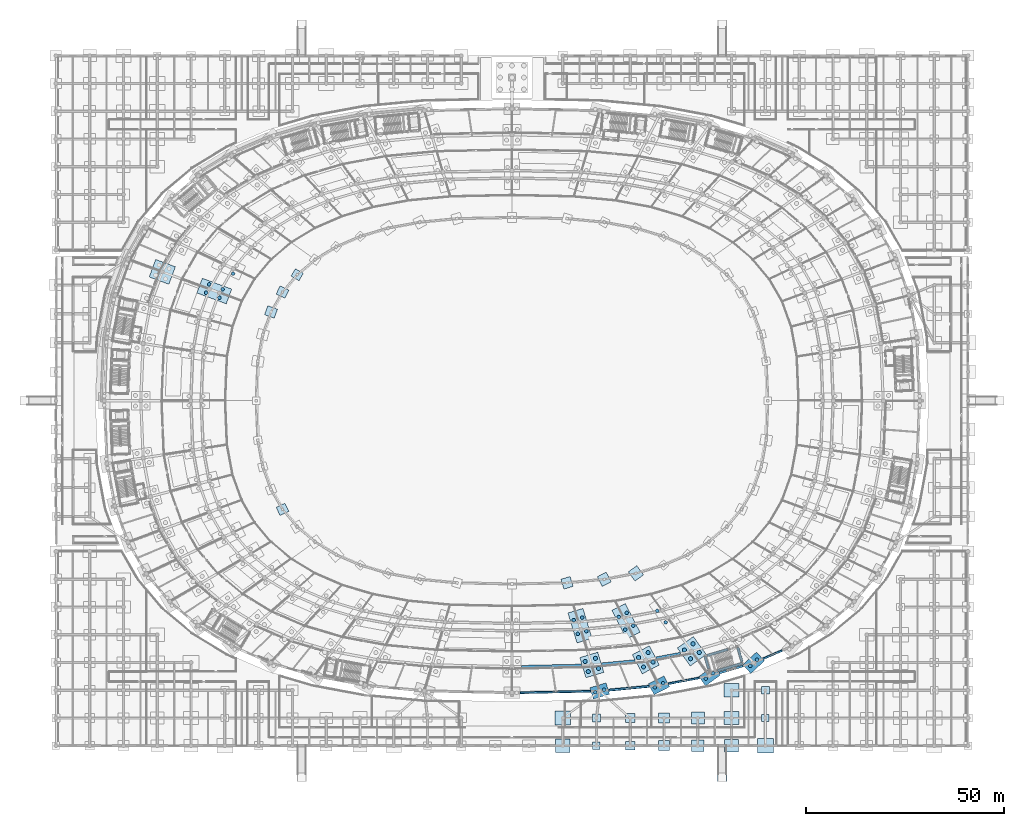
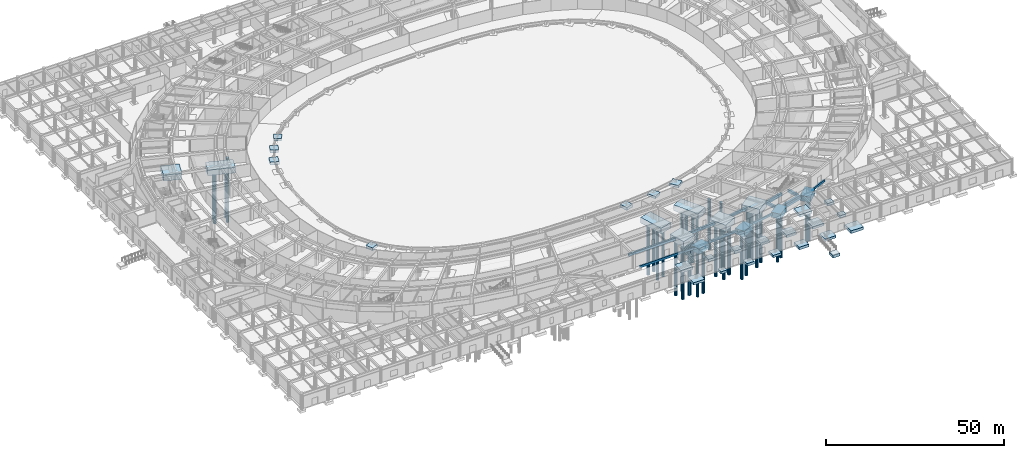
# One storey, part 5 of 88: 47 footings, 35 piles.
"""IFC4 building model written with IfcOpenShell, lengths in metres."""

from ifc_helpers import new_model, si_unit, direction, frame, origin, origin_2d, place, context, subcontext, project, spatial, rectangle, circle, extrude, material, material_profile, profile_set, type_object, element, save


model = new_model("IFC4")

# Units and contexts
model_context = context("Model", 3, precision=1e-05, world=origin(), true_north=direction((0.0, 1.0)))
body_context = subcontext(model_context, "Body", "Model", "MODEL_VIEW")
ifc_project = project(units=[si_unit("LENGTHUNIT", "METRE"), si_unit("AREAUNIT", "SQUARE_METRE"), si_unit("VOLUMEUNIT", "CUBIC_METRE"), si_unit("PLANEANGLEUNIT", "RADIAN"), si_unit("MASSUNIT", "GRAM", prefix="KILO")], contexts=[model_context])

# Site, building, storey
site_placement = place(None, origin())
site = spatial("IfcSite", under=ifc_project, at=site_placement, CompositionType="ELEMENT")
building_placement = place(site_placement, origin())
building = spatial("IfcBuilding", under=site, at=building_placement, Name="Mphavela Belvedere Stadium", CompositionType="ELEMENT")
storey_placement = place(building_placement, origin())
storey = spatial("IfcBuildingStorey", under=building, at=storey_placement, Name="L00", CompositionType="ELEMENT", Elevation=0.0)

# Footings
ifc_material_1 = material(Name="Concrete C35/45", Category="concrete")
footing_type_1 = type_object("IfcFootingType", Name="FTG-CORE-CF06", PredefinedType="PAD_FOOTING", material=ifc_material_1)
footing_1_placement = place(storey_placement, frame((164.13037109375, 21.00830078125, -0.89990234375), z_axis=(0.0, 0.0, 1.0), x_axis=(0.284517342588, -0.958670893355, 0.0)))
element("IfcFooting", 1, at=footing_1_placement, inside=storey, type_object=footing_type_1, Name="Core P04 shear wall foundation pad right", PredefinedType="PAD_FOOTING", context=body_context, shape_type="SweptSolid", body=[
    extrude(rectangle(XDim=3.25, YDim=0.64990234375, at=origin_2d()), origin(), (0.0, 0.0, 1.0), 0.89990234375),
])
ifc_material_2 = material(Name="Concrete C35/45", Category="concrete")
footing_type_2 = type_object("IfcFootingType", Name="FTG-CORE-CF08", PredefinedType="PAD_FOOTING", material=ifc_material_2)
footing_2_placement = place(storey_placement, frame((172.45947265625, 22.959716796875, -0.89990234375), z_axis=(0.0, 0.0, 1.0), x_axis=(0.284517342588, -0.958670893355, 0.0)))
element("IfcFooting", 2, at=footing_2_placement, inside=storey, type_object=footing_type_2, Name="Core P04 shear wall foundation pad left", PredefinedType="PAD_FOOTING", context=body_context, shape_type="SweptSolid", body=[
    extrude(rectangle(XDim=3.75, YDim=0.64990234375, at=origin_2d()), origin(), (0.0, 0.0, 1.0), 0.89990234375),
])
ifc_material_3 = material(Name="Concrete C35/45", Category="concrete")
footing_type_3 = type_object("IfcFootingType", Name="FTG-CORE-CF12", PredefinedType="PAD_FOOTING", material=ifc_material_3)
footing_3_placement = place(storey_placement, frame((166.7763671875, 23.5068359375, -0.89990234375), z_axis=(0.0, 0.0, 1.0), x_axis=(-0.958670893355, -0.284517342588, 0.0)))
element("IfcFooting", 3, at=footing_3_placement, inside=storey, type_object=footing_type_3, Name="Core P04 shear wall foundation pad front", PredefinedType="PAD_FOOTING", context=body_context, shape_type="SweptSolid", body=[
    extrude(rectangle(XDim=5.5, YDim=0.64990234375, at=origin_2d()), origin(), (0.0, 0.0, 1.0), 0.89990234375),
])
ifc_material_4 = material(Name="Concrete C35/45", Category="concrete")
footing_type_4 = type_object("IfcFootingType", Name="FTG-CORE-CF16", PredefinedType="PAD_FOOTING", material=ifc_material_4)
footing_4_placement = place(storey_placement, frame((169.969482421875, 19.8544921875, -0.89990234375), z_axis=(0.0, 0.0, 1.0), x_axis=(-0.958670893355, -0.284517342588, 0.0)))
element("IfcFooting", 4, at=footing_4_placement, inside=storey, type_object=footing_type_4, Name="Core P04 shear wall foundation pad rear", PredefinedType="PAD_FOOTING", context=body_context, shape_type="SweptSolid", body=[
    extrude(rectangle(XDim=6.5, YDim=0.64990234375, at=origin_2d()), origin(), (0.0, 0.0, 1.0), 0.89990234375),
])
ifc_material_5 = material(Name="Concrete C35/45", Category="concrete")
ifc_material_profile_1 = material_profile(ifc_material_5, rectangle(XDim=0.449951171875, YDim=0.75, at=origin_2d()), Name="GB 450x750")
ifc_profile_set_1 = profile_set([ifc_material_profile_1], Name="Concrete C35/45")
footing_type_5 = type_object("IfcFootingType", Name="FTG-GB-01", PredefinedType="FOOTING_BEAM", material=ifc_profile_set_1)
footing_5_placement = place(storey_placement, frame((117.0888671875, 13.375, -0.5), z_axis=(0.999768275781, 0.021526605434, 0.0), x_axis=(-0.021526605434, 0.999768275781, 0.0)))
element("IfcFooting", 5, at=footing_5_placement, inside=storey, type_object=footing_type_5, Name="Ground tie-beam R4-37", PredefinedType="FOOTING_BEAM", context=body_context, shape_type="SweptSolid", body=[
    extrude(rectangle(XDim=0.449951171875, YDim=0.75, at=origin_2d()), origin(), (0.0, 0.0, 1.0), 17.7265625),
])
footing_6_placement = place(storey_placement, frame((154.43310546875, 15.672119140625, -0.5), z_axis=(0.983095616652, 0.183092895876, 0.0), x_axis=(-0.183092895876, 0.983095616652, 0.0)))
element("IfcFooting", 6, at=footing_6_placement, inside=storey, type_object=footing_type_5, Name="Ground tie-beam R4-39", PredefinedType="FOOTING_BEAM", context=body_context, shape_type="SweptSolid", body=[
    extrude(rectangle(XDim=0.449951171875, YDim=0.75, at=origin_2d()), origin(), (0.0, 0.0, 1.0), 7.89111328125),
])
footing_7_placement = place(storey_placement, frame((178.326171875, 21.944091796875, -0.5), z_axis=(0.91748716099, 0.397765394949, 0.0), x_axis=(-0.397765394949, 0.91748716099, 0.0)))
element("IfcFooting", 7, at=footing_7_placement, inside=storey, type_object=footing_type_5, Name="Ground tie-beam R4-41", PredefinedType="FOOTING_BEAM", context=body_context, shape_type="SweptSolid", body=[
    extrude(rectangle(XDim=0.449951171875, YDim=0.75, at=origin_2d()), origin(), (0.0, 0.0, 1.0), 5.204833984375),
])
ifc_material_6 = material(Name="Concrete C35/45", Category="concrete")
ifc_material_profile_2 = material_profile(ifc_material_6, rectangle(XDim=0.5, YDim=0.800048828125, at=origin_2d()), Name="GB 500x800")
ifc_profile_set_2 = profile_set([ifc_material_profile_2], Name="Concrete C35/45")
footing_type_6 = type_object("IfcFootingType", Name="FTG-GB-02", PredefinedType="FOOTING_BEAM", material=ifc_profile_set_2)
footing_8_placement = place(storey_placement, frame((139.356689453125, 14.02001953125, -0.5), z_axis=(0.9954839225, 0.094930290445, 0.0), x_axis=(-0.094930290445, 0.9954839225, 0.0)))
element("IfcFooting", 8, at=footing_8_placement, inside=storey, type_object=footing_type_6, Name="Ground tie-beam R4-38", PredefinedType="FOOTING_BEAM", context=body_context, shape_type="SweptSolid", body=[
    extrude(rectangle(XDim=0.5, YDim=0.800048828125, at=origin_2d()), origin(), (0.0, 0.0, 1.0), 10.2666015625),
])
footing_9_placement = place(storey_placement, frame((167.22705078125, 18.3232421875, -0.5), z_axis=(0.958663693335, 0.284541601671, 0.0), x_axis=(-0.284541601671, 0.958663693335, 0.0)))
element("IfcFooting", 9, at=footing_9_placement, inside=storey, type_object=footing_type_6, Name="Ground tie-beam R4-40", PredefinedType="FOOTING_BEAM", context=body_context, shape_type="SweptSolid", body=[
    extrude(rectangle(XDim=0.5, YDim=0.800048828125, at=origin_2d()), origin(), (0.0, 0.0, 1.0), 6.30810546875),
])
ifc_material_7 = material(Name="Concrete C35/45", Category="concrete")
ifc_material_profile_3 = material_profile(ifc_material_7, rectangle(XDim=0.550048828125, YDim=0.85009765625, at=origin_2d()), Name="GB 550x850")
ifc_profile_set_3 = profile_set([ifc_material_profile_3], Name="Concrete C35/45")
footing_type_7 = type_object("IfcFootingType", Name="FTG-GB-03", PredefinedType="FOOTING_BEAM", material=ifc_profile_set_3)
footing_10_placement = place(storey_placement, frame((117.33984375, 19.98291015625, -0.550048828125), z_axis=(0.999768391187, 0.021521244921, 0.0), x_axis=(-0.021521244921, 0.999768391187, 0.0)))
element("IfcFooting", 10, at=footing_10_placement, inside=storey, type_object=footing_type_7, Name="Ground tie-beam R3-37", PredefinedType="FOOTING_BEAM", context=body_context, shape_type="SweptSolid", body=[
    extrude(rectangle(XDim=0.550048828125, YDim=0.85009765625, at=origin_2d()), origin(), (0.0, 0.0, 1.0), 15.235107421875),
])
footing_11_placement = place(storey_placement, frame((151.351318359375, 22.14892578125, -0.550048828125), z_axis=(0.983093519993, 0.18310415328, 0.0), x_axis=(-0.18310415328, 0.983093519993, 0.0)))
element("IfcFooting", 11, at=footing_11_placement, inside=storey, type_object=footing_type_7, Name="Ground tie-beam R3-39", PredefinedType="FOOTING_BEAM", context=body_context, shape_type="SweptSolid", body=[
    extrude(rectangle(XDim=0.550048828125, YDim=0.85009765625, at=origin_2d()), origin(), (0.0, 0.0, 1.0), 6.236083984375),
])
ifc_material_8 = material(Name="Concrete C35/45", Category="concrete")
ifc_material_profile_4 = material_profile(ifc_material_8, rectangle(XDim=0.60009765625, YDim=0.89990234375, at=origin_2d()), Name="GB 600x900")
ifc_profile_set_4 = profile_set([ifc_material_profile_4], Name="Concrete C35/45")
footing_type_8 = type_object("IfcFootingType", Name="FTG-GB-04", PredefinedType="FOOTING_BEAM", material=ifc_profile_set_4)
footing_12_placement = place(storey_placement, frame((137.62353515625, 20.603515625, -0.550048828125), z_axis=(0.99548437937, 0.094925499371, 0.0), x_axis=(-0.094925499371, 0.99548437937, 0.0)))
element("IfcFooting", 12, at=footing_12_placement, inside=storey, type_object=footing_type_8, Name="Ground tie-beam R3-38", PredefinedType="FOOTING_BEAM", context=body_context, shape_type="SweptSolid", body=[
    extrude(rectangle(XDim=0.60009765625, YDim=0.89990234375, at=origin_2d()), origin(), (0.0, 0.0, 1.0), 8.412841796875),
])
ifc_material_9 = material(Name="Concrete C35/45", Category="concrete")
footing_type_9 = type_object("IfcFootingType", Name="FTG-PAD-01", PredefinedType="PAD_FOOTING", material=ifc_material_9)
for number, where, z_axis, x_axis, name in (
    (13, (136.2958984375, 0.0, -0.7998046875), (0.0, 0.0, 1.0), (1.0, 0.0, 0.0), "South Axial Triumphal Peristyle Portico pad footing 17-1"),
    (14, (178.888916015625, 7.0, -0.7998046875), (0.0, 0.0, 1.0), (1.0, 0.0, 0.0), "South Axial Triumphal Peristyle Portico pad footing 22-2"),
):
    element("IfcFooting", number, at=place(storey_placement, frame(where, z_axis=z_axis, x_axis=x_axis)), inside=storey, type_object=footing_type_9, Name=name, PredefinedType="PAD_FOOTING", context=body_context, shape_type="SweptSolid", body=[
        extrude(rectangle(XDim=1.89990234375, YDim=1.800048828125, at=origin_2d()), origin(), (0.0, 0.0, 1.0), 0.800048828125),
    ])
ifc_material_10 = material(Name="Concrete C35/45", Category="concrete")
footing_type_10 = type_object("IfcFootingType", Name="FTG-PAD-02", PredefinedType="PAD_FOOTING", material=ifc_material_10)
for number, where, z_axis, x_axis, name in (
    (15, (136.2958984375, 7.0, -0.83984375), (0.0, 0.0, 1.0), (1.0, 0.0, 0.0), "South Axial Triumphal Peristyle Portico pad footing 17-2"),
    (16, (178.888916015625, 14.0, -0.83984375), (0.0, 0.0, 1.0), (1.0, 0.0, 0.0), "South Axial Triumphal Peristyle Portico pad footing 22-3"),
):
    element("IfcFooting", number, at=place(storey_placement, frame(where, z_axis=z_axis, x_axis=x_axis)), inside=storey, type_object=footing_type_10, Name=name, PredefinedType="PAD_FOOTING", context=body_context, shape_type="SweptSolid", body=[
        extrude(rectangle(XDim=2.0400390625, YDim=1.919921875, at=origin_2d()), origin(), (0.0, 0.0, 1.0), 0.840087890625),
    ])
ifc_material_11 = material(Name="Concrete C35/45", Category="concrete")
footing_type_11 = type_object("IfcFootingType", Name="FTG-PAD-04", PredefinedType="PAD_FOOTING", material=ifc_material_11)
for number, where, z_axis, x_axis, name in (
    (17, (60.8349609375, 118.77783203125, -0.919921875), (0.0, 0.0, 1.0), (-0.862513669207, 0.506033764121, 0.0), "Tier front pad footing 20"),
    (18, (144.81494140625, 0.0, -0.919921875), (0.0, 0.0, 1.0), (1.0, 0.0, 0.0), "South Axial Triumphal Peristyle Portico pad footing 18-1"),
    (19, (168.0, -7.89990234375, -1.4599609375), (0.0, 0.0, 1.0), (1.0, 0.0, 0.0), "Ramp RP2 approach foundation pad"),
):
    element("IfcFooting", number, at=place(storey_placement, frame(where, z_axis=z_axis, x_axis=x_axis)), inside=storey, type_object=footing_type_11, Name=name, PredefinedType="PAD_FOOTING", context=body_context, shape_type="SweptSolid", body=[
        extrude(rectangle(XDim=2.320068359375, YDim=2.159912109375, at=origin_2d()), origin(), (0.0, 0.0, 1.0), 0.919921875),
    ])
ifc_material_12 = material(Name="Concrete C35/45", Category="concrete")
footing_type_12 = type_object("IfcFootingType", Name="FTG-PAD-05", PredefinedType="PAD_FOOTING", material=ifc_material_12)
for number, where, z_axis, x_axis, name in (
    (20, (57.130859375, 114.391357421875, -0.9599609375), (0.0, 0.0, 1.0), (-0.903858661687, 0.4278311813, 0.0), "Tier front pad footing 21"),
    (21, (57.130859375, 59.608642578125, -0.9599609375), (0.0, 0.0, 1.0), (-0.903858661687, -0.4278311813, 0.0), "Tier front pad footing 29"),
    (22, (144.81494140625, 7.0, -0.9599609375), (0.0, 0.0, 1.0), (1.0, 0.0, 0.0), "South Axial Triumphal Peristyle Portico pad footing 18-2"),
):
    element("IfcFooting", number, at=place(storey_placement, frame(where, z_axis=z_axis, x_axis=x_axis)), inside=storey, type_object=footing_type_12, Name=name, PredefinedType="PAD_FOOTING", context=body_context, shape_type="SweptSolid", body=[
        extrude(rectangle(XDim=2.4599609375, YDim=2.280029296875, at=origin_2d()), origin(), (0.0, 0.0, 1.0), 0.9599609375),
    ])
ifc_material_13 = material(Name="Concrete C35/45", Category="concrete")
footing_type_13 = type_object("IfcFootingType", Name="FTG-PAD-06", PredefinedType="PAD_FOOTING", material=ifc_material_13)
for number, where, z_axis, x_axis, name in (
    (23, (54.236572265625, 109.385498046875, -1.0), (0.0, 0.0, 1.0), (-0.938372433776, 0.34562577382, 0.0), "Tier front pad footing 22"),
    (24, (128.873779296875, 41.081298828125, -1.0), (0.0, 0.0, 1.0), (0.289198876314, -0.957269037387, 0.0), "Tier front pad footing 38"),
):
    element("IfcFooting", number, at=place(storey_placement, frame(where, z_axis=z_axis, x_axis=x_axis)), inside=storey, type_object=footing_type_13, Name=name, PredefinedType="PAD_FOOTING", context=body_context, shape_type="SweptSolid", body=[
        extrude(rectangle(XDim=2.60009765625, YDim=2.39990234375, at=origin_2d()), origin(), (0.0, 0.0, 1.0), 1.0),
    ])
ifc_material_14 = material(Name="Concrete C35/45", Category="concrete")
footing_type_14 = type_object("IfcFootingType", Name="FTG-PAD-07", PredefinedType="PAD_FOOTING", material=ifc_material_14)
for number, where, z_axis, x_axis, name in (
    (25, (138.258056640625, 41.97607421875, -0.7998046875), (0.0, 0.0, 1.0), (0.458959712465, -0.888457079624, 0.0), "Tier front pad footing 39"),
    (26, (153.3330078125, 0.0, -0.7998046875), (0.0, 0.0, 1.0), (1.0, 0.0, 0.0), "South Axial Triumphal Peristyle Portico pad footing 19-1"),
):
    element("IfcFooting", number, at=place(storey_placement, frame(where, z_axis=z_axis, x_axis=x_axis)), inside=storey, type_object=footing_type_14, Name=name, PredefinedType="PAD_FOOTING", context=body_context, shape_type="SweptSolid", body=[
        extrude(rectangle(XDim=2.739990234375, YDim=2.52001953125, at=origin_2d()), origin(), (0.0, 0.0, 1.0), 0.800048828125),
    ])
ifc_material_15 = material(Name="Concrete C35/45", Category="concrete")
footing_type_15 = type_object("IfcFootingType", Name="FTG-PAD-08", PredefinedType="PAD_FOOTING", material=ifc_material_15)
for number, where, z_axis, x_axis, name in (
    (27, (146.2431640625, 43.46337890625, -0.83984375), (0.0, 0.0, 1.0), (0.582974127943, -0.812490717577, 0.0), "Tier front pad footing 40"),
    (28, (153.3330078125, 7.0, -0.83984375), (0.0, 0.0, 1.0), (1.0, 0.0, 0.0), "South Axial Triumphal Peristyle Portico pad footing 19-2"),
):
    element("IfcFooting", number, at=place(storey_placement, frame(where, z_axis=z_axis, x_axis=x_axis)), inside=storey, type_object=footing_type_15, Name=name, PredefinedType="PAD_FOOTING", context=body_context, shape_type="SweptSolid", body=[
        extrude(rectangle(XDim=2.8798828125, YDim=2.639892578125, at=origin_2d()), origin(), (0.0, 0.0, 1.0), 0.840087890625),
    ])
ifc_material_16 = material(Name="Concrete C35/45", Category="concrete")
footing_type_16 = type_object("IfcFootingType", Name="FTG-PAD-10", PredefinedType="PAD_FOOTING", material=ifc_material_16)
footing_13_placement = place(storey_placement, frame((161.85205078125, 0.0, -0.919921875), z_axis=(0.0, 0.0, 1.0), x_axis=(1.0, 0.0, 0.0)))
element("IfcFooting", 29, at=footing_13_placement, inside=storey, type_object=footing_type_16, Name="South Axial Triumphal Peristyle Portico pad footing 20-1", PredefinedType="PAD_FOOTING", context=body_context, shape_type="SweptSolid", body=[
    extrude(rectangle(XDim=3.159912109375, YDim=2.8798828125, at=origin_2d()), origin(), (0.0, 0.0, 1.0), 0.919921875),
])
ifc_material_17 = material(Name="Concrete C35/45", Category="concrete")
footing_type_17 = type_object("IfcFootingType", Name="FTG-PAD-11", PredefinedType="PAD_FOOTING", material=ifc_material_17)
footing_14_placement = place(storey_placement, frame((161.85205078125, 7.0, -0.9599609375), z_axis=(0.0, 0.0, 1.0), x_axis=(1.0, 0.0, 0.0)))
element("IfcFooting", 30, at=footing_14_placement, inside=storey, type_object=footing_type_17, Name="South Axial Triumphal Peristyle Portico pad footing 20-2", PredefinedType="PAD_FOOTING", context=body_context, shape_type="SweptSolid", body=[
    extrude(rectangle(XDim=3.300048828125, YDim=3.0, at=origin_2d()), origin(), (0.0, 0.0, 1.0), 0.9599609375),
])
ifc_material_18 = material(Name="Concrete C35/45", Category="concrete")
footing_type_18 = type_object("IfcFootingType", Name="FTG-PAD-13", PredefinedType="PAD_FOOTING", material=ifc_material_18)
footing_15_placement = place(storey_placement, frame((170.3701171875, 0.0, -0.7998046875), z_axis=(0.0, 0.0, 1.0), x_axis=(1.0, 0.0, 0.0)))
element("IfcFooting", 31, at=footing_15_placement, inside=storey, type_object=footing_type_18, Name="South Axial Triumphal Peristyle Portico pad footing 21-1", PredefinedType="PAD_FOOTING", context=body_context, shape_type="SweptSolid", body=[
    extrude(rectangle(XDim=3.580078125, YDim=3.239990234375, at=origin_2d()), origin(), (0.0, 0.0, 1.0), 0.800048828125),
])
ifc_material_19 = material(Name="Concrete C35/45", Category="concrete")
footing_type_19 = type_object("IfcFootingType", Name="FTG-PAD-14", PredefinedType="PAD_FOOTING", material=ifc_material_19)
for number, where, z_axis, x_axis, name in (
    (32, (127.778076171875, 0.0, -0.83984375), (0.0, 0.0, 1.0), (1.0, 0.0, 0.0), "South Axial Triumphal Peristyle Portico pad footing 16-1"),
    (33, (170.3701171875, 7.0, -0.83984375), (0.0, 0.0, 1.0), (1.0, 0.0, 0.0), "South Axial Triumphal Peristyle Portico pad footing 21-2"),
):
    element("IfcFooting", number, at=place(storey_placement, frame(where, z_axis=z_axis, x_axis=x_axis)), inside=storey, type_object=footing_type_19, Name=name, PredefinedType="PAD_FOOTING", context=body_context, shape_type="SweptSolid", body=[
        extrude(rectangle(XDim=3.719970703125, YDim=3.360107421875, at=origin_2d()), origin(), (0.0, 0.0, 1.0), 0.840087890625),
    ])
ifc_material_20 = material(Name="Concrete C35/45", Category="concrete")
footing_type_20 = type_object("IfcFootingType", Name="FTG-PAD-15", PredefinedType="PAD_FOOTING", material=ifc_material_20)
for number, where, z_axis, x_axis, name in (
    (34, (127.778076171875, 7.0, -0.8798828125), (0.0, 0.0, 1.0), (1.0, 0.0, 0.0), "South Axial Triumphal Peristyle Portico pad footing 16-2"),
    (35, (170.3701171875, 14.0, -0.8798828125), (0.0, 0.0, 1.0), (1.0, 0.0, 0.0), "South Axial Triumphal Peristyle Portico pad footing 21-3"),
):
    element("IfcFooting", number, at=place(storey_placement, frame(where, z_axis=z_axis, x_axis=x_axis)), inside=storey, type_object=footing_type_20, Name=name, PredefinedType="PAD_FOOTING", context=body_context, shape_type="SweptSolid", body=[
        extrude(rectangle(XDim=3.860107421875, YDim=3.47998046875, at=origin_2d()), origin(), (0.0, 0.0, 1.0), 0.8798828125),
    ])
ifc_material_21 = material(Name="Concrete C35/45", Category="concrete")
footing_type_21 = type_object("IfcFootingType", Name="FTG-PAD-16", PredefinedType="PAD_FOOTING", material=ifc_material_21)
footing_16_placement = place(storey_placement, frame((178.888916015625, 0.0, -0.919921875), z_axis=(0.0, 0.0, 1.0), x_axis=(1.0, 0.0, 0.0)))
element("IfcFooting", 36, at=footing_16_placement, inside=storey, type_object=footing_type_21, Name="South Axial Triumphal Peristyle Portico pad footing 22-1", PredefinedType="PAD_FOOTING", context=body_context, shape_type="SweptSolid", body=[
    extrude(rectangle(XDim=4.0, YDim=3.60009765625, at=origin_2d()), origin(), (0.0, 0.0, 1.0), 0.919921875),
])
ifc_material_22 = material(Name="Concrete C35/45", Category="concrete")
footing_type_22 = type_object("IfcFootingType", Name="FTG-PC-R12-06", PredefinedType="PILE_CAP", material=ifc_material_22)
for number, where, z_axis, x_axis, name in (
    (37, (39.9365234375, 114.65380859375, -1.91015625), (0.0, 0.0, 1.0), (-0.938372433776, 0.34562577382, 0.0), "Bowl inner pile cap 22"),
    (38, (132.138916015625, 30.27490234375, -1.91015625), (0.0, 0.0, 1.0), (0.289198876314, -0.957269037387, 0.0), "Bowl inner pile cap 38"),
):
    element("IfcFooting", number, at=place(storey_placement, frame(where, z_axis=z_axis, x_axis=x_axis)), inside=storey, type_object=footing_type_22, Name=name, PredefinedType="PILE_CAP", context=body_context, shape_type="SweptSolid", body=[
        extrude(rectangle(XDim=7.89990234375, YDim=3.9599609375, at=origin_2d()), origin(), (0.0, 0.0, 1.0), 1.909912109375),
    ])
ifc_material_23 = material(Name="Concrete C35/45", Category="concrete")
footing_type_23 = type_object("IfcFootingType", Name="FTG-PC-R12-07", PredefinedType="PILE_CAP", material=ifc_material_23)
footing_17_placement = place(storey_placement, frame((143.7314453125, 31.380126953125, -1.97021484375), z_axis=(0.0, 0.0, 1.0), x_axis=(0.458959712465, -0.888457079624, 0.0)))
element("IfcFooting", 39, at=footing_17_placement, inside=storey, type_object=footing_type_23, Name="Bowl inner pile cap 39", PredefinedType="PILE_CAP", context=body_context, shape_type="SweptSolid", body=[
    extrude(rectangle(XDim=8.1201171875, YDim=3.800048828125, at=origin_2d()), origin(), (0.0, 0.0, 1.0), 1.969970703125),
])
ifc_material_24 = material(Name="Concrete C35/45", Category="concrete")
footing_type_24 = type_object("IfcFootingType", Name="FTG-PC-R3-06", PredefinedType="PILE_CAP", material=ifc_material_24)
for number, where, z_axis, x_axis, name in (
    (40, (26.824462890625, 119.484375, -2.009765625), (0.0, 0.0, 1.0), (-0.938372433776, 0.34562577382, 0.0), "Bowl main pile cap 22"),
    (41, (135.1328125, 20.365966796875, -2.009765625), (0.0, 0.0, 1.0), (0.289198876314, -0.957269037387, 0.0), "Bowl main pile cap 38"),
):
    element("IfcFooting", number, at=place(storey_placement, frame(where, z_axis=z_axis, x_axis=x_axis)), inside=storey, type_object=footing_type_24, Name=name, PredefinedType="PILE_CAP", context=body_context, shape_type="SweptSolid", body=[
        extrude(rectangle(XDim=5.300048828125, YDim=4.719970703125, at=origin_2d()), origin(), (0.0, 0.0, 1.0), 2.010009765625),
    ])
ifc_material_25 = material(Name="Concrete C35/45", Category="concrete")
footing_type_25 = type_object("IfcFootingType", Name="FTG-PC-R3-07", PredefinedType="PILE_CAP", material=ifc_material_25)
footing_18_placement = place(storey_placement, frame((148.750244140625, 21.66455078125, -2.06982421875), z_axis=(0.0, 0.0, 1.0), x_axis=(0.458959712465, -0.888457079624, 0.0)))
element("IfcFooting", 42, at=footing_18_placement, inside=storey, type_object=footing_type_25, Name="Bowl main pile cap 39", PredefinedType="PILE_CAP", context=body_context, shape_type="SweptSolid", body=[
    extrude(rectangle(XDim=5.43994140625, YDim=4.840087890625, at=origin_2d()), origin(), (0.0, 0.0, 1.0), 2.070068359375),
])
ifc_material_26 = material(Name="Concrete C35/45", Category="concrete")
footing_type_26 = type_object("IfcFootingType", Name="FTG-PC-R3-08", PredefinedType="PILE_CAP", material=ifc_material_26)
footing_19_placement = place(storey_placement, frame((160.337890625, 23.822509765625, -2.1298828125), z_axis=(0.0, 0.0, 1.0), x_axis=(0.582974127943, -0.812490717577, 0.0)))
element("IfcFooting", 43, at=footing_19_placement, inside=storey, type_object=footing_type_26, Name="Bowl main pile cap 40", PredefinedType="PILE_CAP", context=body_context, shape_type="SweptSolid", body=[
    extrude(rectangle(XDim=5.580078125, YDim=4.9599609375, at=origin_2d()), origin(), (0.0, 0.0, 1.0), 2.1298828125),
])
ifc_material_27 = material(Name="Concrete C35/45", Category="concrete")
footing_type_27 = type_object("IfcFootingType", Name="FTG-PC-R4-02", PredefinedType="PILE_CAP", material=ifc_material_27)
footing_20_placement = place(storey_placement, frame((137.114501953125, 13.80615234375, -1.85986328125), z_axis=(0.0, 0.0, 1.0), x_axis=(0.957269037387, 0.289198876314, 0.0)))
element("IfcFooting", 44, at=footing_20_placement, inside=storey, type_object=footing_type_27, Name="Perimeter colonnade pile cap 38", PredefinedType="PILE_CAP", context=body_context, shape_type="SweptSolid", body=[
    extrude(rectangle(XDim=4.25, YDim=3.0, at=origin_2d()), origin(), (0.0, 0.0, 1.0), 1.860107421875),
])
ifc_material_28 = material(Name="Concrete C35/45", Category="concrete")
footing_type_28 = type_object("IfcFootingType", Name="FTG-PC-R4-03", PredefinedType="PILE_CAP", material=ifc_material_28)
footing_21_placement = place(storey_placement, frame((152.07275390625, 15.232666015625, -1.919921875), z_axis=(0.0, 0.0, 1.0), x_axis=(0.888457079624, 0.458959712465, 0.0)))
element("IfcFooting", 45, at=footing_21_placement, inside=storey, type_object=footing_type_28, Name="Perimeter colonnade pile cap 39", PredefinedType="PILE_CAP", context=body_context, shape_type="SweptSolid", body=[
    extrude(rectangle(XDim=4.39990234375, YDim=3.10009765625, at=origin_2d()), origin(), (0.0, 0.0, 1.0), 1.919921875),
])
ifc_material_29 = material(Name="Concrete C35/45", Category="concrete")
footing_type_29 = type_object("IfcFootingType", Name="FTG-PC-R4-04", PredefinedType="PILE_CAP", material=ifc_material_29)
footing_22_placement = place(storey_placement, frame((164.80126953125, 17.60302734375, -1.7998046875), z_axis=(0.0, 0.0, 1.0), x_axis=(0.812490717577, 0.582974127943, 0.0)))
element("IfcFooting", 46, at=footing_22_placement, inside=storey, type_object=footing_type_29, Name="Perimeter colonnade pile cap 40", PredefinedType="PILE_CAP", context=body_context, shape_type="SweptSolid", body=[
    extrude(rectangle(XDim=4.550048828125, YDim=2.89990234375, at=origin_2d()), origin(), (0.0, 0.0, 1.0), 1.800048828125),
])
ifc_material_30 = material(Name="Concrete C35/45", Category="concrete")
footing_type_30 = type_object("IfcFootingType", Name="FTG-PC-R4-05", PredefinedType="PILE_CAP", material=ifc_material_30)
footing_23_placement = place(storey_placement, frame((175.9375, 20.90869140625, -1.85986328125), z_axis=(0.0, 0.0, 1.0), x_axis=(0.735151272753, 0.677903094969, 0.0)))
element("IfcFooting", 47, at=footing_23_placement, inside=storey, type_object=footing_type_30, Name="Perimeter colonnade pile cap 41", PredefinedType="PILE_CAP", context=body_context, shape_type="SweptSolid", body=[
    extrude(rectangle(XDim=4.699951171875, YDim=3.0, at=origin_2d()), origin(), (0.0, 0.0, 1.0), 1.860107421875),
])

# Piles
ifc_material_31 = material(Name="Concrete C35/45", Category="concrete")
ifc_material_profile_5 = material_profile(ifc_material_31, circle(Radius=0.52490234375, at=origin_2d()), Name="BP D1050")
ifc_profile_set_5 = profile_set([ifc_material_profile_5], Name="Concrete C35/45")
pile_type_1 = type_object("IfcPileType", Name="PIL-BP1050-A", PredefinedType="BORED", material=ifc_profile_set_5)
for number, where, z_axis, x_axis, name in (
    (48, (146.931396484375, 22.244384765625, -1.969970703125), (0.0, 0.0, -1.0), (1.0, 0.0, 0.0), "Bored pile R3-39-1"),
    (49, (149.330078125, 23.4833984375, -1.969970703125), (0.0, 0.0, -1.0), (1.0, 0.0, 0.0), "Bored pile R3-39-2"),
    (50, (148.17041015625, 19.845458984375, -1.969970703125), (0.0, 0.0, -1.0), (1.0, 0.0, 0.0), "Bored pile R3-39-3"),
    (51, (150.5693359375, 21.084716796875, -1.969970703125), (0.0, 0.0, -1.0), (1.0, 0.0, 0.0), "Bored pile R3-39-4"),
):
    element("IfcPile", number, at=place(storey_placement, frame(where, z_axis=z_axis, x_axis=x_axis)), inside=storey, type_object=pile_type_1, Name=name, PredefinedType="BORED", context=body_context, shape_type="SweptSolid", body=[
        extrude(circle(Radius=0.52490234375, at=origin_2d()), origin(), (0.0, 0.0, 1.0), 17.5),
    ])
ifc_material_32 = material(Name="Concrete C35/45", Category="concrete")
ifc_material_profile_6 = material_profile(ifc_material_32, circle(Radius=0.52490234375, at=origin_2d()), Name="BP D1050")
ifc_profile_set_6 = profile_set([ifc_material_profile_6], Name="Concrete C35/45")
pile_type_2 = type_object("IfcPileType", Name="PIL-BP1050-B", PredefinedType="BORED", material=ifc_profile_set_6)
for number, where, z_axis, x_axis, name in (
    (52, (133.449951171875, 21.267822265625, -1.909912109375), (0.0, 0.0, -1.0), (1.0, 0.0, 0.0), "Bored pile R3-38-1"),
    (53, (136.03466796875, 22.048828125, -1.909912109375), (0.0, 0.0, -1.0), (1.0, 0.0, 0.0), "Bored pile R3-38-2"),
    (54, (134.230712890625, 18.68310546875, -1.909912109375), (0.0, 0.0, -1.0), (1.0, 0.0, 0.0), "Bored pile R3-38-3"),
    (55, (136.8154296875, 19.464111328125, -1.909912109375), (0.0, 0.0, -1.0), (1.0, 0.0, 0.0), "Bored pile R3-38-4"),
    (56, (158.4541015625, 24.13232421875, -2.030029296875), (0.0, 0.0, -1.0), (1.0, 0.0, 0.0), "Bored pile R3-40-1"),
    (57, (160.647705078125, 25.70654296875, -2.030029296875), (0.0, 0.0, -1.0), (1.0, 0.0, 0.0), "Bored pile R3-40-2"),
    (58, (160.0283203125, 21.938720703125, -2.030029296875), (0.0, 0.0, -1.0), (1.0, 0.0, 0.0), "Bored pile R3-40-3"),
    (59, (162.2216796875, 23.512939453125, -2.030029296875), (0.0, 0.0, -1.0), (1.0, 0.0, 0.0), "Bored pile R3-40-4"),
):
    element("IfcPile", number, at=place(storey_placement, frame(where, z_axis=z_axis, x_axis=x_axis)), inside=storey, type_object=pile_type_2, Name=name, PredefinedType="BORED", context=body_context, shape_type="SweptSolid", body=[
        extrude(circle(Radius=0.52490234375, at=origin_2d()), origin(), (0.0, 0.0, 1.0), 18.800048828125),
    ])
ifc_material_33 = material(Name="Concrete C35/45", Category="concrete")
ifc_material_profile_7 = material_profile(ifc_material_33, circle(Radius=0.449951171875, at=origin_2d()), Name="BP D900")
ifc_profile_set_7 = profile_set([ifc_material_profile_7], Name="Concrete C35/45")
pile_type_3 = type_object("IfcPileType", Name="PIL-BP900-A", PredefinedType="BORED", material=ifc_profile_set_7)
pile_placement = place(storey_placement, frame((44.65771484375, 119.05078125, -1.75), z_axis=(0.0, 0.0, -1.0), x_axis=(1.0, 0.0, 0.0)))
element("IfcPile", 60, at=pile_placement, inside=storey, type_object=pile_type_3, Name="Bored pile R12-21-2", PredefinedType="BORED", context=body_context, shape_type="SweptSolid", body=[
    extrude(circle(Radius=0.449951171875, at=origin_2d()), origin(), (0.0, 0.0, 1.0), 16.0),
])
for number, where, z_axis, x_axis, name in (
    (61, (136.013671875, 13.4736328125, -1.760009765625), (0.0, 0.0, -1.0), (1.0, 0.0, 0.0), "Bored pile R4-38-1"),
    (62, (138.215576171875, 14.138916015625, -1.760009765625), (0.0, 0.0, -1.0), (1.0, 0.0, 0.0), "Bored pile R4-38-2"),
):
    element("IfcPile", number, at=place(storey_placement, frame(where, z_axis=z_axis, x_axis=x_axis)), inside=storey, type_object=pile_type_3, Name=name, PredefinedType="BORED", context=body_context, shape_type="SweptSolid", body=[
        extrude(circle(Radius=0.449951171875, at=origin_2d()), origin(), (0.0, 0.0, 1.0), 15.60009765625),
    ])
for number, where, z_axis, x_axis, name in (
    (63, (141.90576171875, 32.463134765625, -1.8701171875), (0.0, 0.0, -1.0), (1.0, 0.0, 0.0), "Bored pile R12-39-1"),
    (64, (143.90478515625, 33.495849609375, -1.8701171875), (0.0, 0.0, -1.0), (1.0, 0.0, 0.0), "Bored pile R12-39-2"),
    (65, (143.55810546875, 29.2646484375, -1.8701171875), (0.0, 0.0, -1.0), (1.0, 0.0, 0.0), "Bored pile R12-39-3"),
    (66, (145.556884765625, 30.29736328125, -1.8701171875), (0.0, 0.0, -1.0), (1.0, 0.0, 0.0), "Bored pile R12-39-4"),
):
    element("IfcPile", number, at=place(storey_placement, frame(where, z_axis=z_axis, x_axis=x_axis)), inside=storey, type_object=pile_type_3, Name=name, PredefinedType="BORED", context=body_context, shape_type="SweptSolid", body=[
        extrude(circle(Radius=0.449951171875, at=origin_2d()), origin(), (0.0, 0.0, 1.0), 16.0),
    ])
for number, where, z_axis, x_axis, name in (
    (67, (151.051025390625, 14.704833984375, -1.820068359375), (0.0, 0.0, -1.0), (1.0, 0.0, 0.0), "Bored pile R4-39-1"),
    (68, (153.094482421875, 15.760498046875, -1.820068359375), (0.0, 0.0, -1.0), (1.0, 0.0, 0.0), "Bored pile R4-39-2"),
    (69, (163.866943359375, 16.9326171875, -1.699951171875), (0.0, 0.0, -1.0), (1.0, 0.0, 0.0), "Bored pile R4-40-1"),
    (70, (165.735595703125, 18.273681640625, -1.699951171875), (0.0, 0.0, -1.0), (1.0, 0.0, 0.0), "Bored pile R4-40-2"),
    (71, (175.092041015625, 20.129150390625, -1.760009765625), (0.0, 0.0, -1.0), (1.0, 0.0, 0.0), "Bored pile R4-41-1"),
    (72, (176.783203125, 21.688232421875, -1.760009765625), (0.0, 0.0, -1.0), (1.0, 0.0, 0.0), "Bored pile R4-41-2"),
):
    element("IfcPile", number, at=place(storey_placement, frame(where, z_axis=z_axis, x_axis=x_axis)), inside=storey, type_object=pile_type_3, Name=name, PredefinedType="BORED", context=body_context, shape_type="SweptSolid", body=[
        extrude(circle(Radius=0.449951171875, at=origin_2d()), origin(), (0.0, 0.0, 1.0), 15.60009765625),
    ])
ifc_material_34 = material(Name="Concrete C35/45", Category="concrete")
ifc_material_profile_8 = material_profile(ifc_material_34, circle(Radius=0.449951171875, at=origin_2d()), Name="BP D900")
ifc_profile_set_8 = profile_set([ifc_material_profile_8], Name="Concrete C35/45")
pile_type_4 = type_object("IfcPileType", Name="PIL-BP900-B", PredefinedType="BORED", material=ifc_profile_set_8)
for number, where, z_axis, x_axis, name in (
    (73, (42.014404296875, 115.087158203125, -1.81005859375), (0.0, 0.0, -1.0), (1.0, 0.0, 0.0), "Bored pile R12-22-1"),
    (74, (41.236572265625, 112.975830078125, -1.81005859375), (0.0, 0.0, -1.0), (1.0, 0.0, 0.0), "Bored pile R12-22-2"),
    (75, (38.636474609375, 116.331787109375, -1.81005859375), (0.0, 0.0, -1.0), (1.0, 0.0, 0.0), "Bored pile R12-22-3"),
    (76, (37.858642578125, 114.220458984375, -1.81005859375), (0.0, 0.0, -1.0), (1.0, 0.0, 0.0), "Bored pile R12-22-4"),
    (77, (130.541259765625, 31.672607421875, -1.81005859375), (0.0, 0.0, -1.0), (1.0, 0.0, 0.0), "Bored pile R12-38-1"),
    (78, (132.695068359375, 32.3232421875, -1.81005859375), (0.0, 0.0, -1.0), (1.0, 0.0, 0.0), "Bored pile R12-38-2"),
    (79, (131.58251953125, 28.226318359375, -1.81005859375), (0.0, 0.0, -1.0), (1.0, 0.0, 0.0), "Bored pile R12-38-3"),
    (80, (133.736328125, 28.877197265625, -1.81005859375), (0.0, 0.0, -1.0), (1.0, 0.0, 0.0), "Bored pile R12-38-4"),
    (81, (151.632568359375, 34.02392578125, -1.929931640625), (0.0, 0.0, -1.0), (1.0, 0.0, 0.0), "Bored pile R12-40-1"),
    (82, (153.7314453125, 31.09912109375, -1.929931640625), (0.0, 0.0, -1.0), (1.0, 0.0, 0.0), "Bored pile R12-40-3"),
):
    element("IfcPile", number, at=place(storey_placement, frame(where, z_axis=z_axis, x_axis=x_axis)), inside=storey, type_object=pile_type_4, Name=name, PredefinedType="BORED", context=body_context, shape_type="SweptSolid", body=[
        extrude(circle(Radius=0.449951171875, at=origin_2d()), origin(), (0.0, 0.0, 1.0), 17.199951171875),
    ])

save(model, "model.ifc")
